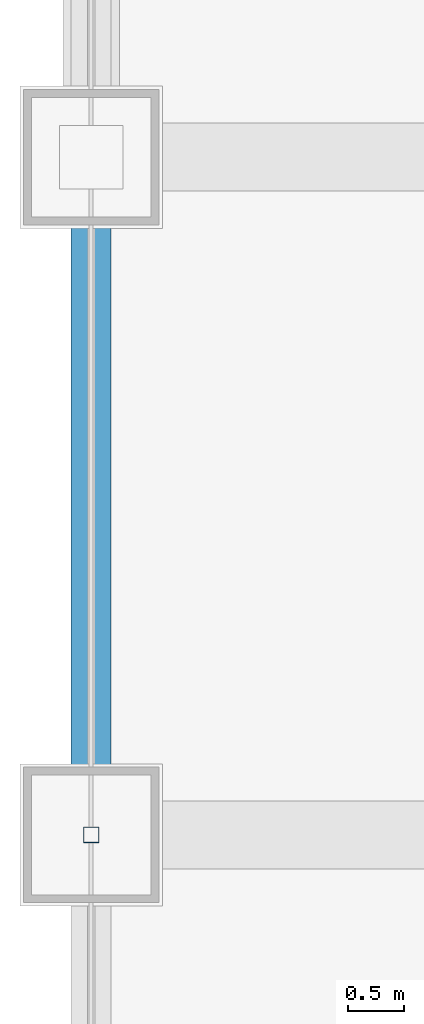
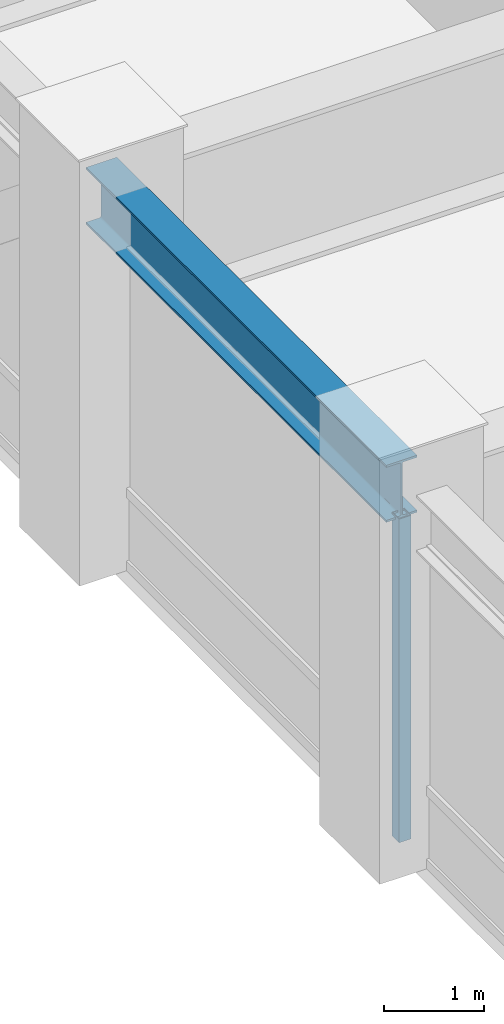
# One storey, part 10 of 34: 1 beam, 1 member, 1 element without a shape of its own.
"""IFC4 building model written with IfcOpenShell, lengths in metres."""

from ifc_helpers import new_model, si_unit, direction, frame, origin, origin_2d, place, context, subcontext, project, spatial, hollow_rectangle, i_section, extrude, source, transform, mapped, material, material_profile, profile_set, type_object, element, aggregate, save


model = new_model("IFC4")

# Units and contexts
model_context = context("Model", 3, precision=1e-05, world=origin(), true_north=direction((0.0, 1.0)))
body_context = subcontext(model_context, "Body", "Model", "MODEL_VIEW")
ifc_project = project(units=[si_unit("LENGTHUNIT", "METRE"), si_unit("AREAUNIT", "SQUARE_METRE"), si_unit("VOLUMEUNIT", "CUBIC_METRE"), si_unit("PLANEANGLEUNIT", "RADIAN"), si_unit("MASSUNIT", "GRAM", prefix="KILO")], contexts=[model_context])

# Site, building, storey
site_placement = place(None, origin())
site = spatial("IfcSite", under=ifc_project, at=site_placement, CompositionType="ELEMENT")
building_placement = place(site_placement, origin())
building = spatial("IfcBuilding", under=site, at=building_placement, Name="Khorayat Bourse Tower", CompositionType="ELEMENT")
storey_placement = place(building_placement, frame((0.0, 0.0, 144.699951171875)))
storey = spatial("IfcBuildingStorey", under=building, at=storey_placement, Name="L33", CompositionType="ELEMENT", Elevation=144.699951171875)

# Beam
ifc_material_1 = material(Name="Steel ASTM A992 Grade 50", Category="steel")
ifc_material_profile_1 = material_profile(ifc_material_1, i_section(OverallWidth=0.35498046875, OverallDepth=0.695068359375, WebThickness=0.015380859375, FlangeThickness=0.02490234375, FilletRadius=0.01806640625, at=origin_2d()), Name="W690X217")
ifc_profile_set_1 = profile_set([ifc_material_profile_1], Name="Steel ASTM A992 Grade 50")
beam_type = type_object("IfcBeamType", Name="BM-SPAN-690", PredefinedType="SPANDREL", material=ifc_profile_set_1)
shared_shape_1 = source(origin(), body_context, "Body", "SweptSolid", [
    extrude(i_section(OverallWidth=0.35498046875, OverallDepth=0.695068359375, WebThickness=0.015380859375, FlangeThickness=0.02490234375, FilletRadius=0.01806640625, at=origin_2d()), origin(), (0.0, 0.0, 1.0), 6.0),
])
beam_placement = place(storey_placement, frame((-32.0, 0.0, 4.25244140625), z_axis=(0.0, 1.0, 0.0), x_axis=(-1.0, 0.0, 0.0)))
element("IfcBeam", 1, at=beam_placement, inside=storey, type_object=beam_type, Name="L33 BM-SPAN-690 BM-L33-SPN-057", PredefinedType="SPANDREL", context=body_context, shape_type="MappedRepresentation", body=[
    mapped(shared_shape_1, transform((0.0, 0.0, 0.0), scale=1.0)),
])

# Curtain wall, member
ifc_material_2 = material(Name="Aluminium EN AW-6063 T6", Category="aluminium")
curtain_wall_type = type_object("IfcCurtainWallType", Name="CW-SYS-05", PredefinedType="NOTDEFINED", material=ifc_material_2)
curtain_wall_placement = place(storey_placement, origin())
curtain_wall = element("IfcCurtainWall", 2, at=curtain_wall_placement, inside=storey, type_object=curtain_wall_type, Name="L33 Curtain Wall CW-L33-W1", PredefinedType="NOTDEFINED")
ifc_material_profile_2 = material_profile(ifc_material_2, hollow_rectangle(XDim=0.139892578125, YDim=0.139892578125, WallThickness=0.006103515625, at=origin_2d()), Name="ALU 140x140x6")
ifc_profile_set_2 = profile_set([ifc_material_profile_2], Name="Aluminium EN AW-6063 T6")
member_type = type_object("IfcMemberType", Name="CWM-VERT-140", PredefinedType="MULLION", material=ifc_profile_set_2)
shared_shape_2 = source(origin(), body_context, "Body", "SweptSolid", [
    extrude(hollow_rectangle(XDim=0.139892578125, YDim=0.139892578125, WallThickness=0.006103515625, at=origin_2d()), origin(), (0.0, 0.0, 1.0), 3.949951171875),
])
member_placement = place(storey_placement, frame((-32.0, 0.0, 0.0), z_axis=(0.0, 0.0, 1.0), x_axis=(-1.0, 0.0, 0.0)))
member = element("IfcMember", 3, at=member_placement, type_object=member_type, Name="CW-L33-W1 Vertical Mullion 2", PredefinedType="MULLION", context=body_context, shape_type="MappedRepresentation", body=[
    mapped(shared_shape_2, transform((0.0, 0.0, 0.0), scale=1.0)),
])
aggregate(curtain_wall, [member])

save(model, "model.ifc")
